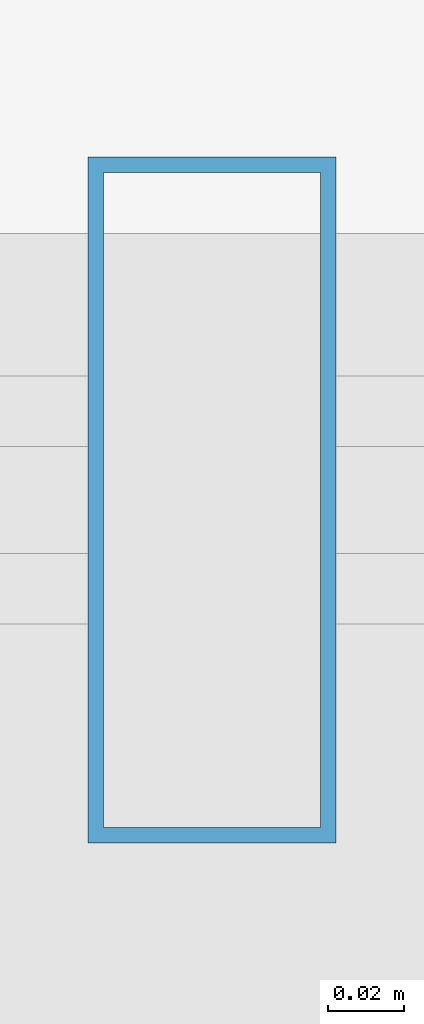
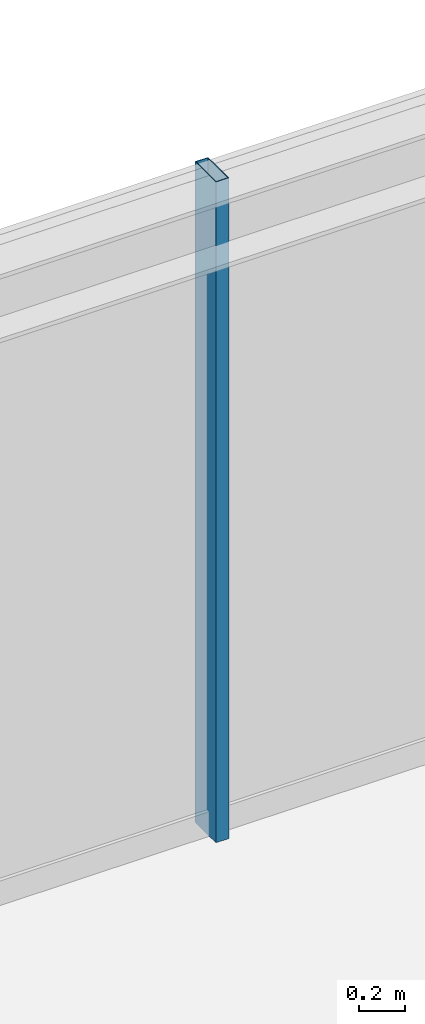
# One storey, part 21 of 33: 1 member, 1 element without a shape of its own.
"""IFC4 building model written with IfcOpenShell, lengths in metres."""

from ifc_helpers import new_model, si_unit, direction, frame, origin, origin_2d, place, context, subcontext, project, spatial, hollow_rectangle, extrude, source, transform, mapped, material, material_profile, profile_set, type_object, element, aggregate, save


model = new_model("IFC4")

# Units and contexts
model_context = context("Model", 3, precision=1e-05, world=origin(), true_north=direction((0.0, 1.0)))
body_context = subcontext(model_context, "Body", "Model", "MODEL_VIEW")
ifc_project = project(units=[si_unit("LENGTHUNIT", "METRE"), si_unit("AREAUNIT", "SQUARE_METRE"), si_unit("VOLUMEUNIT", "CUBIC_METRE"), si_unit("PLANEANGLEUNIT", "RADIAN"), si_unit("MASSUNIT", "GRAM", prefix="KILO")], contexts=[model_context])

# Site, building, storey
site_placement = place(None, origin())
site = spatial("IfcSite", under=ifc_project, at=site_placement, CompositionType="ELEMENT")
building_placement = place(site_placement, origin())
building = spatial("IfcBuilding", under=site, at=building_placement, Name="Nahalor Promenade Grand Hotel", CompositionType="ELEMENT")
storey_placement = place(building_placement, frame((0.0, 0.0, 315.75)))
storey = spatial("IfcBuildingStorey", under=building, at=storey_placement, Name="L81", CompositionType="ELEMENT", Elevation=315.75)

# Curtain wall, member
ifc_material = material(Name="Anodised Bronze Aluminium EN AW-6063 T6", Category="aluminium")
curtain_wall_type = type_object("IfcCurtainWallType", Name="CW2 Typical Hotel Flush Bronze Unitised Curtain Wall", PredefinedType="USERDEFINED", material=ifc_material)
curtain_wall_placement = place(storey_placement, origin())
curtain_wall = element("IfcCurtainWall", 1, at=curtain_wall_placement, inside=storey, type_object=curtain_wall_type, Name="L81 Curtain Wall CW-L81-N-1", ObjectType="UNITISED_CURTAIN_WALL", PredefinedType="USERDEFINED")
ifc_material_profile = material_profile(ifc_material, hollow_rectangle(XDim=0.065, YDim=0.18, WallThickness=0.004, at=origin_2d()), Name="CWM 65x180x4")
ifc_profile_set = profile_set([ifc_material_profile], Name="Anodised Bronze Aluminium EN AW-6063 T6")
member_type = type_object("IfcMemberType", Name="CWM2 Typical Bronze Mullion 65x180", PredefinedType="MULLION", material=ifc_profile_set)
shared_shape = source(origin(), body_context, "Body", "SweptSolid", [
    extrude(hollow_rectangle(XDim=0.065, YDim=0.18, WallThickness=0.004, at=origin_2d()), origin(), (0.0, 0.0, 1.0), 3.5),
])
member_placement = place(storey_placement, frame((6.586669921875, 22.56005859375, 0.0), z_axis=(0.0, 0.0, 1.0), x_axis=(1.0, 0.0, 0.0)))
member = element("IfcMember", 2, at=member_placement, type_object=member_type, Name="CW-L81-N-1 Mullion 2", PredefinedType="MULLION", context=body_context, shape_type="MappedRepresentation", body=[
    mapped(shared_shape, transform((0.0, 0.0, 0.0), scale=1.0)),
])
aggregate(curtain_wall, [member])

save(model, "model.ifc")
